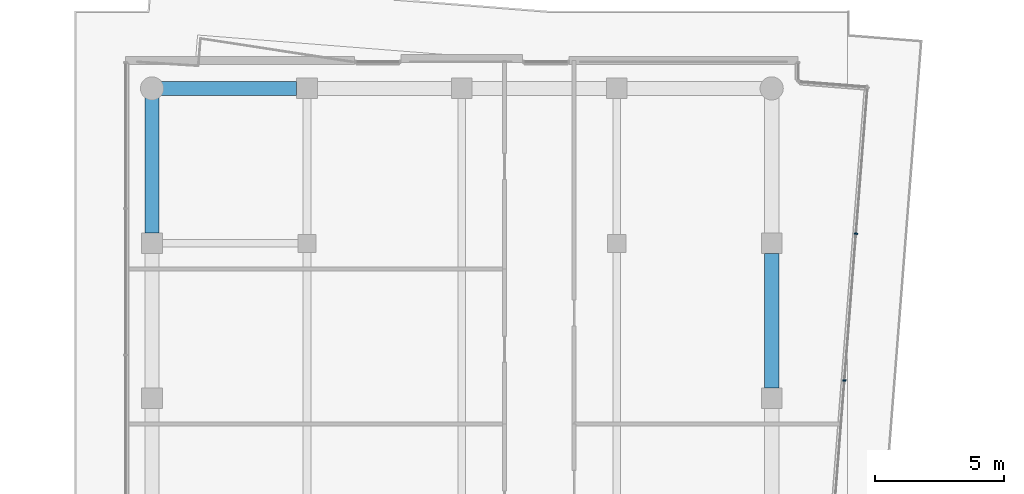
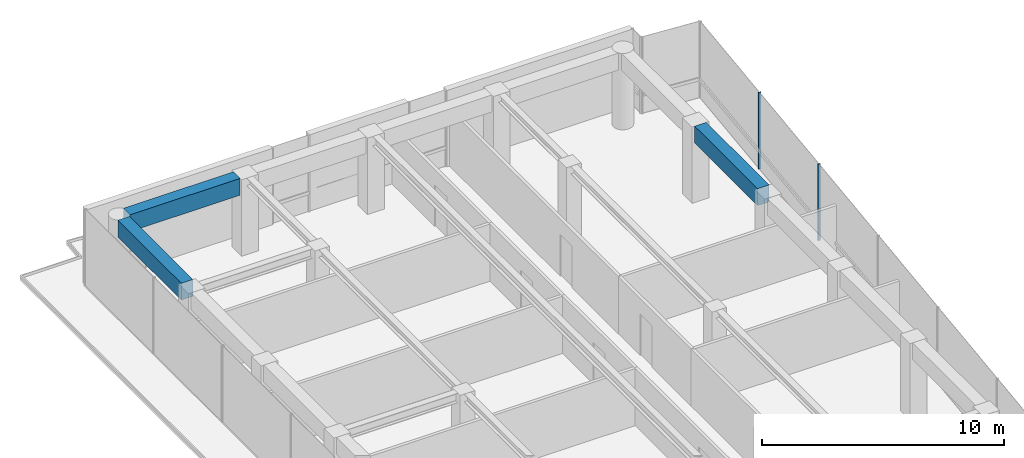
# One storey, part 14 of 23: 3 beams, 2 members, 1 element without a shape of its own.
"""IFC4 building model written with IfcOpenShell, lengths in metres."""

from ifc_helpers import new_model, si_unit, direction, frame, origin, origin_2d, place, context, subcontext, project, spatial, rectangle, extrude, material, layer, layer_set, material_profile, profile_set, type_object, element, aggregate, save


model = new_model("IFC4")

# Units and contexts
model_context = context("Model", 3, precision=1e-05, world=origin(), true_north=direction((0.0, 1.0)))
body_context = subcontext(model_context, "Body", "Model", "MODEL_VIEW")
ifc_project = project(units=[si_unit("LENGTHUNIT", "METRE"), si_unit("AREAUNIT", "SQUARE_METRE"), si_unit("VOLUMEUNIT", "CUBIC_METRE"), si_unit("PLANEANGLEUNIT", "RADIAN"), si_unit("MASSUNIT", "GRAM", prefix="KILO")], contexts=[model_context])

# Site, building, storey
site_placement = place(None, origin())
site = spatial("IfcSite", under=ifc_project, at=site_placement, CompositionType="ELEMENT")
building_placement = place(site_placement, origin())
building = spatial("IfcBuilding", under=site, at=building_placement, Name="Welwitschia Terrace Campus", CompositionType="ELEMENT")
storey_placement = place(building_placement, frame((0.0, 0.0, 247.39990234375)))
storey = spatial("IfcBuildingStorey", under=building, at=storey_placement, Name="L55", CompositionType="ELEMENT", Elevation=247.39990234375)

# Curtain wall, members
ifc_material_1 = material(Name="Bronze anodised aluminium", Category="aluminium")
ifc_layer = layer(ifc_material_1, 0.1201171875)
ifc_layer_set = layer_set([ifc_layer], Name="Bronze anodised aluminium")
curtain_wall_type = type_object("IfcCurtainWallType", Name="Curtain wall CW2 tower 6000", PredefinedType="NOTDEFINED", material=ifc_layer_set)
curtain_wall_placement = place(storey_placement, origin())
curtain_wall = element("IfcCurtainWall", 1, at=curtain_wall_placement, inside=storey, type_object=curtain_wall_type, Name="CW L55.8.0", PredefinedType="NOTDEFINED")
ifc_material_2 = material(Name="Bronze anodised aluminium", Category="aluminium")
ifc_material_profile_1 = material_profile(ifc_material_2, rectangle(XDim=0.1201171875, YDim=0.06005859375, at=origin_2d()))
ifc_profile_set_1 = profile_set([ifc_material_profile_1], Name="Bronze anodised aluminium")
member_type = type_object("IfcMemberType", Name="Mullion 60x120", PredefinedType="MULLION", material=ifc_profile_set_1)
member_1_placement = place(storey_placement, frame((26.8193359375, 58.688232421875, 0.0), z_axis=(0.0, 0.0, 1.0), x_axis=(-0.996917333733, 0.078459095728, 0.0)))
member_1 = element("IfcMember", 2, at=member_1_placement, type_object=member_type, Name="Mullion L55.8.0.4", PredefinedType="MULLION", context=body_context, shape_type="SweptSolid", body=[
    extrude(rectangle(XDim=0.1201171875, YDim=0.06005859375, at=origin_2d()), origin(), (0.0, 0.0, 1.0), 3.85009765625),
])
member_2_placement = place(storey_placement, frame((27.2666015625, 64.3720703125, 0.0), z_axis=(0.0, 0.0, 1.0), x_axis=(-0.996917333733, 0.078459095728, 0.0)))
member_2 = element("IfcMember", 3, at=member_2_placement, type_object=member_type, Name="Mullion L55.8.0.5", PredefinedType="MULLION", context=body_context, shape_type="SweptSolid", body=[
    extrude(rectangle(XDim=0.1201171875, YDim=0.06005859375, at=origin_2d()), origin(), (0.0, 0.0, 1.0), 3.85009765625),
])
aggregate(curtain_wall, [member_1, member_2])

# Beams
ifc_material_3 = material(Name="Concrete C50/60", Category="concrete")
ifc_material_profile_2 = material_profile(ifc_material_3, rectangle(XDim=0.550048828125, YDim=0.85009765625, at=origin_2d()))
ifc_profile_set_2 = profile_set([ifc_material_profile_2], Name="Concrete C50/60")
beam_type = type_object("IfcBeamType", Name="Ring spandrel 550x850", PredefinedType="SPANDREL", material=ifc_profile_set_2)
beam_placement = place(storey_placement, frame((24.0, 58.400390625, 3.425048828125), z_axis=(0.0, 1.0, 0.0), x_axis=(-1.0, 0.0, 0.0)))
element("IfcBeam", 4, at=beam_placement, inside=storey, type_object=beam_type, Name="Spandrel SP3", PredefinedType="SPANDREL", context=body_context, shape_type="SweptSolid", body=[
    extrude(rectangle(XDim=0.550048828125, YDim=0.85009765625, at=origin_2d()), origin(), (0.0, 0.0, 1.0), 5.19921875),
])
for number, where, z_axis, x_axis, name in (
    (5, (5.599609375, 70.0, 3.425048828125), (-1.0, 0.0, 0.0), (0.0, -1.0, 0.0), "Spandrel SP3"),
    (6, (0.0, 69.64306640625, 3.425048828125), (0.0, -1.0, 0.0), (1.0, 0.0, 0.0), "Spandrel SP3"),
):
    element("IfcBeam", number, at=place(storey_placement, frame(where, z_axis=z_axis, x_axis=x_axis)), inside=storey, type_object=beam_type, Name=name, PredefinedType="SPANDREL", context=body_context, shape_type="SweptSolid", body=[
        extrude(rectangle(XDim=0.550048828125, YDim=0.85009765625, at=origin_2d()), origin(), (0.0, 0.0, 1.0), 5.24267578125),
    ])

save(model, "model.ifc")
